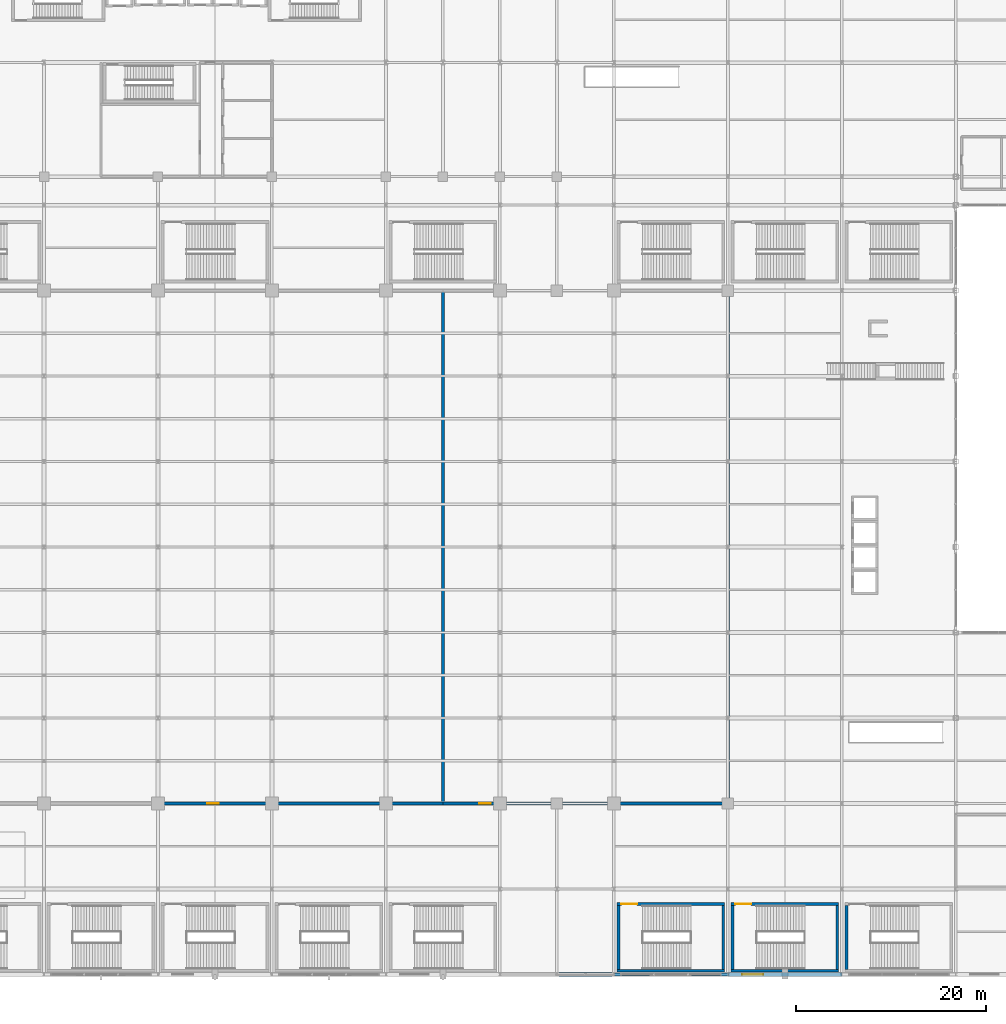
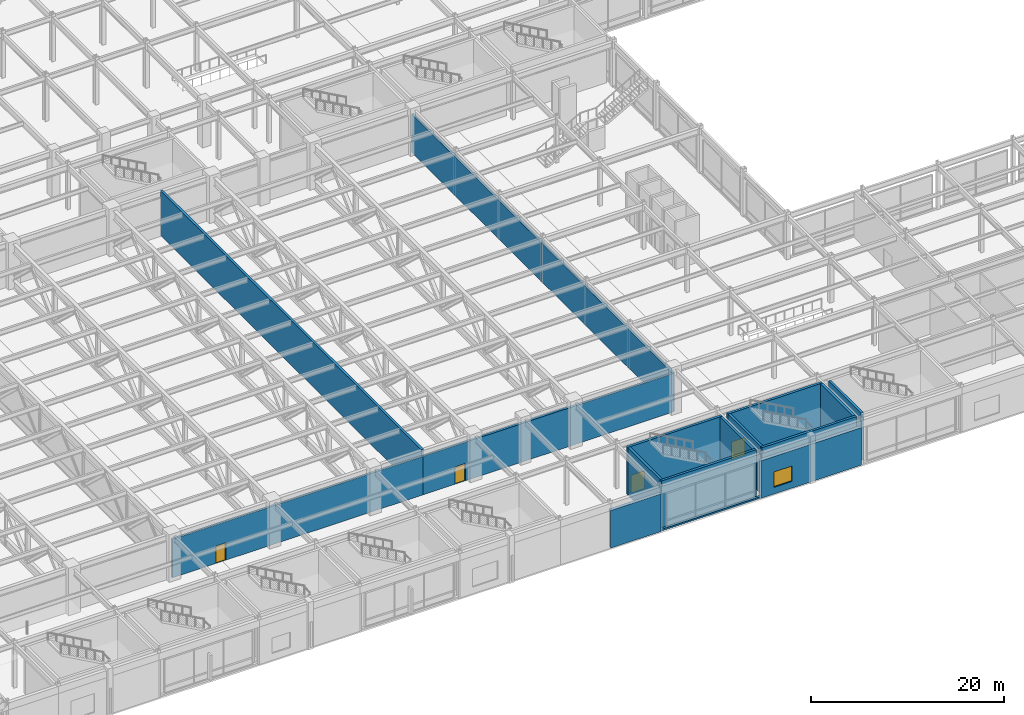
# One storey, part 90 of 108: 16 walls, 4 doors, 1 window, 5 openings.
"""IFC4 building model written with IfcOpenShell, lengths in metres."""

from ifc_helpers import new_model, si_unit, direction, frame, frame_2d, origin, place, context, subcontext, project, spatial, rectangle, extrude, material, layer, layer_set, type_object, element, fill, save


model = new_model("IFC4")

# Units and contexts
model_context = context("Model", 3, precision=1e-05, world=origin(), true_north=direction((0.0, 1.0)))
body_context = subcontext(model_context, "Body", "Model", "MODEL_VIEW")
ifc_project = project(units=[si_unit("LENGTHUNIT", "METRE"), si_unit("AREAUNIT", "SQUARE_METRE"), si_unit("VOLUMEUNIT", "CUBIC_METRE"), si_unit("PLANEANGLEUNIT", "RADIAN"), si_unit("MASSUNIT", "GRAM", prefix="KILO")], contexts=[model_context])

# Site, building, storey
site_placement = place(None, origin())
site = spatial("IfcSite", under=ifc_project, at=site_placement, CompositionType="ELEMENT")
building_placement = place(site_placement, origin())
building = spatial("IfcBuilding", under=site, at=building_placement, Name="Kaldorvane Square Convention Centre", CompositionType="ELEMENT")
storey_placement = place(building_placement, frame((0.0, 0.0, 12.0)))
storey = spatial("IfcBuildingStorey", under=building, at=storey_placement, Name="L02", CompositionType="ELEMENT", Elevation=12.0)

# Wall, opening, door
ifc_material_1 = material(Name="Reinforced Concrete Masonry Acoustic Partition", Category="masonry")
ifc_layer_1 = layer(ifc_material_1, 0.279998779296875)
ifc_layer_set_1 = layer_set([ifc_layer_1], Name="Reinforced Concrete Masonry Acoustic Partition")
wall_type_1 = type_object("IfcWallType", Name="WL-ACO-280", PredefinedType="PARTITIONING", material=ifc_layer_set_1)
wall_1_placement = place(storey_placement, frame((54.0, 18.0, 0.0), z_axis=(0.0, 0.0, 1.0), x_axis=(1.0, 0.0, 0.0)))
wall_1 = element("IfcWall", 1, at=wall_1_placement, inside=storey, type_object=wall_type_1, Name="Central Transfer Truss Interstitial Mechanical Plenum S Wall", PredefinedType="PARTITIONING", context=body_context, shape_type="SweptSolid", body=[
    extrude(rectangle(XDim=30.0, YDim=0.279998779296875, at=frame_2d((15.0, 0.0))), origin(), (0.0, 0.0, 1.0), 4.8719940185546875),
])
opening_1_placement = place(wall_1_placement, frame((5.1999969482421875, 0.0, 0.0)))
opening_1 = element("IfcOpeningElement", 2, at=opening_1_placement, cuts=wall_1, Name="Opening ID-14", PredefinedType="OPENING", context=body_context, shape_type="SweptSolid", body=[
    extrude(rectangle(XDim=1.1999969482421875, YDim=2.1999969482421875, at=frame_2d((0.600006103515625, 1.100006103515625))), frame((0.0, 0.154998779296875, 0.0), z_axis=(0.0, -1.0, 0.0), x_axis=(1.0, 0.0, 0.0)), (0.0, 0.0, 1.0), 0.30999755859375),
])
ifc_material_2 = material(Name="Insulated Hollow Metal Steel", Category="steel")
door_type_1 = type_object("IfcDoorType", Name="DR-PLANT-1200X2200", OperationType="SINGLE_SWING_LEFT", PredefinedType="DOOR", material=ifc_material_2)
door_1_placement = place(opening_1_placement, origin())
door_1 = element("IfcDoor", 3, at=door_1_placement, inside=storey, type_object=door_type_1, Name="Central Transfer Truss Interstitial Mechanical Plenum Door 1", OperationType="SINGLE_SWING_LEFT", OverallHeight=2.1999969482421875, OverallWidth=1.1999969482421875, PredefinedType="DOOR", context=body_context, shape_type="SweptSolid", body=[
    extrude(rectangle(XDim=1.1999969482421875, YDim=2.1999969482421875, at=frame_2d((0.600006103515625, 1.100006103515625))), frame((0.0, 0.024993896484375, 0.0), z_axis=(0.0, -1.0, 0.0), x_axis=(1.0, 0.0, 0.0)), (0.0, 0.0, 1.0), 0.0500030517578125),
])
fill(opening_1, door_1)

# Wall
wall_2_placement = place(storey_placement, frame((84.0, 18.0, 0.0), z_axis=(0.0, 0.0, 1.0), x_axis=(0.0, 1.0, 0.0)))
element("IfcWall", 4, at=wall_2_placement, inside=storey, type_object=wall_type_1, Name="Central Transfer Truss Interstitial Mechanical Plenum E Wall", PredefinedType="PARTITIONING", context=body_context, shape_type="SweptSolid", body=[
    extrude(rectangle(XDim=54.0, YDim=0.279998779296875, at=frame_2d((27.0, 0.0))), origin(), (0.0, 0.0, 1.0), 5.649993896484375),
])

# Wall, opening, door
wall_3_placement = place(storey_placement, frame((84.0, 18.0, 0.0), z_axis=(0.0, 0.0, 1.0), x_axis=(1.0, 0.0, 0.0)))
wall_3 = element("IfcWall", 5, at=wall_3_placement, inside=storey, type_object=wall_type_1, Name="East Transfer Truss Interstitial Mechanical Plenum S Wall", PredefinedType="PARTITIONING", context=body_context, shape_type="SweptSolid", body=[
    extrude(rectangle(XDim=30.0, YDim=0.279998779296875, at=frame_2d((15.0, 0.0))), origin(), (0.0, 0.0, 1.0), 4.8719940185546875),
])
opening_2_placement = place(wall_3_placement, frame((3.8300018310546875, 0.0, 0.0)))
opening_2 = element("IfcOpeningElement", 6, at=opening_2_placement, cuts=wall_3, Name="Opening ID-14", PredefinedType="OPENING", context=body_context, shape_type="SweptSolid", body=[
    extrude(rectangle(XDim=1.1999969482421875, YDim=2.1999969482421875, at=frame_2d((0.600006103515625, 1.100006103515625))), frame((0.0, 0.154998779296875, 0.0), z_axis=(0.0, -1.0, 0.0), x_axis=(1.0, 0.0, 0.0)), (0.0, 0.0, 1.0), 0.30999755859375),
])
door_2_placement = place(opening_2_placement, origin())
door_2 = element("IfcDoor", 7, at=door_2_placement, inside=storey, type_object=door_type_1, Name="East Transfer Truss Interstitial Mechanical Plenum Door 1", OperationType="SINGLE_SWING_LEFT", OverallHeight=2.1999969482421875, OverallWidth=1.1999969482421875, PredefinedType="DOOR", context=body_context, shape_type="SweptSolid", body=[
    extrude(rectangle(XDim=1.1999969482421875, YDim=2.1999969482421875, at=frame_2d((0.600006103515625, 1.100006103515625))), frame((0.0, 0.024993896484375, 0.0), z_axis=(0.0, -1.0, 0.0), x_axis=(1.0, 0.0, 0.0)), (0.0, 0.0, 1.0), 0.0500030517578125),
])
fill(opening_2, door_2)

# Walls
wall_4_placement = place(storey_placement, frame((114.0, 18.0, 0.0), z_axis=(0.0, 0.0, 1.0), x_axis=(0.0, 1.0, 0.0)))
element("IfcWall", 8, at=wall_4_placement, inside=storey, type_object=wall_type_1, Name="East Transfer Truss Interstitial Mechanical Plenum E Wall", PredefinedType="PARTITIONING", context=body_context, shape_type="SweptSolid", body=[
    extrude(rectangle(XDim=54.0, YDim=0.279998779296875, at=frame_2d((27.0, 0.0))), origin(), (0.0, 0.0, 1.0), 4.88299560546875),
])
ifc_material_3 = material(Name="Concrete f'c = 42 MPa (Normalweight)", Category="concrete")
ifc_layer_2 = layer(ifc_material_3, 0.3800048828125)
ifc_layer_set_2 = layer_set([ifc_layer_2], Name="Concrete f'c = 42 MPa (Normalweight)")
wall_type_2 = type_object("IfcWallType", Name="WL-EXT-380", PredefinedType="STANDARD", material=ifc_layer_set_2)
wall_5_placement = place(storey_placement, frame((96.0, 0.0, 0.0), z_axis=(0.0, 0.0, 1.0), x_axis=(1.0, 0.0, 0.0)))
element("IfcWall", 9, at=wall_5_placement, inside=storey, type_object=wall_type_2, Name="South Square Brutalist Facade Wall (L02)", PredefinedType="STANDARD", context=body_context, shape_type="SweptSolid", body=[
    extrude(rectangle(XDim=6.0, YDim=0.3800048828125, at=frame_2d((3.0, 0.0))), origin(), (0.0, 0.0, 1.0), 4.746002197265625),
])

# Wall, opening, window
wall_6_placement = place(storey_placement, frame((114.0, 0.0, 0.0), z_axis=(0.0, 0.0, 1.0), x_axis=(1.0, 0.0, 0.0)))
wall_6 = element("IfcWall", 10, at=wall_6_placement, inside=storey, type_object=wall_type_2, Name="South Square Brutalist Facade Wall (L02)", PredefinedType="STANDARD", context=body_context, shape_type="SweptSolid", body=[
    extrude(rectangle(XDim=12.0, YDim=0.3800048828125, at=frame_2d((6.0, 0.0))), origin(), (0.0, 0.0, 1.0), 4.746002197265625),
])
opening_3_placement = place(wall_6_placement, frame((1.5, 0.0, 0.850006103515625)))
opening_3 = element("IfcOpeningElement", 11, at=opening_3_placement, cuts=wall_6, Name="Opening W-20", PredefinedType="OPENING", context=body_context, shape_type="SweptSolid", body=[
    extrude(rectangle(XDim=2.1999969482421875, YDim=1.9499969482421875, at=frame_2d((1.100006103515625, 0.975006103515625))), frame((0.0, 0.2050018310546875, 0.0), z_axis=(0.0, -1.0, 0.0), x_axis=(1.0, 0.0, 0.0)), (0.0, 0.0, 1.0), 0.410003662109375),
])
ifc_material_4 = material(Name="Anodized Aluminum and Low-E Insulated Glazing", Category="aluminium")
window_type = type_object("IfcWindowType", Name="WN-POD-2200X1950", PartitioningType="DOUBLE_PANEL_VERTICAL", PredefinedType="WINDOW", material=ifc_material_4)
window_placement = place(opening_3_placement, origin())
window = element("IfcWindow", 12, at=window_placement, inside=storey, type_object=window_type, Name="South Facade Window (L02)", OverallHeight=1.9499969482421875, OverallWidth=2.1999969482421875, PartitioningType="DOUBLE_PANEL_VERTICAL", PredefinedType="WINDOW", context=body_context, shape_type="SweptSolid", body=[
    extrude(rectangle(XDim=2.1999969482421875, YDim=1.9499969482421875, at=frame_2d((1.100006103515625, 0.975006103515625))), frame((0.0, 0.029998779296875, 0.0), z_axis=(0.0, -1.0, 0.0), x_axis=(1.0, 0.0, 0.0)), (0.0, 0.0, 1.0), 0.05999755859375),
])
fill(opening_3, window)

# Walls
ifc_material_5 = material(Name="Concrete f'c = 35 MPa (Normalweight)", Category="concrete")
ifc_layer_3 = layer(ifc_material_5, 0.279998779296875)
ifc_layer_set_3 = layer_set([ifc_layer_3], Name="Concrete f'c = 35 MPa (Normalweight)")
wall_type_3 = type_object("IfcWallType", Name="WL-PAR-280", PredefinedType="PARAPET", material=ifc_layer_set_3)
wall_7_placement = place(storey_placement, frame((102.0, 0.0, 0.0), z_axis=(0.0, 0.0, 1.0), x_axis=(1.0, 0.0, 0.0)))
element("IfcWall", 13, at=wall_7_placement, inside=storey, type_object=wall_type_3, Name="Curtain-Wall Sill Kerb (L02)", PredefinedType="PARAPET", context=body_context, shape_type="SweptSolid", body=[
    extrude(rectangle(XDim=12.0, YDim=0.279998779296875, at=frame_2d((6.0, 0.0))), origin(), (0.0, 0.0, 1.0), 0.1999969482421875),
])
ifc_material_6 = material(Name="Concrete f'c = 55 MPa (Normalweight)", Category="concrete")
ifc_layer_4 = layer(ifc_material_6, 0.3000030517578125)
ifc_layer_set_4 = layer_set([ifc_layer_4], Name="Concrete f'c = 55 MPa (Normalweight)")
wall_type_4 = type_object("IfcWallType", Name="WL-SHAFT-300", PredefinedType="SHEAR", material=ifc_layer_set_4)
wall_8_placement = place(storey_placement, frame((113.66000366210938, 0.399993896484375, 0.0), z_axis=(0.0, 0.0, 1.0), x_axis=(-1.0, 0.0, 0.0)))
element("IfcWall", 14, at=wall_8_placement, inside=storey, type_object=wall_type_4, Name="Core Enclosure Wall stair:ST-C8-S (L02)", PredefinedType="SHEAR", context=body_context, shape_type="SweptSolid", body=[
    extrude(rectangle(XDim=11.32000732421875, YDim=0.3000030517578125, at=frame_2d((5.660003662109375, 0.0))), origin(), (0.0, 0.0, 1.0), 6.0),
])

# Wall, opening, door
wall_9_placement = place(storey_placement, frame((113.66000366210938, 7.410003662109375, 0.0), z_axis=(0.0, 0.0, 1.0), x_axis=(-1.0, 0.0, 0.0)))
wall_9 = element("IfcWall", 15, at=wall_9_placement, inside=storey, type_object=wall_type_4, Name="Core Enclosure Wall stair:ST-C8-N (L02)", PredefinedType="SHEAR", context=body_context, shape_type="SweptSolid", body=[
    extrude(rectangle(XDim=11.32000732421875, YDim=0.3000030517578125, at=frame_2d((5.660003662109375, 0.0))), origin(), (0.0, 0.0, 1.0), 6.0),
])
opening_4_placement = place(wall_9_placement, frame((9.220001220703125, 0.0, 0.0)))
opening_4 = element("IfcOpeningElement", 16, at=opening_4_placement, cuts=wall_9, Name="Opening FD90-S2", PredefinedType="OPENING", context=body_context, shape_type="SweptSolid", body=[
    extrude(rectangle(XDim=1.649993896484375, YDim=2.25, at=frame_2d((0.8249969482421875, 1.125))), frame((0.0, 0.165008544921875, 0.0), z_axis=(0.0, -1.0, 0.0), x_axis=(1.0, 0.0, 0.0)), (0.0, 0.0, 1.0), 0.3300018310546875),
])
ifc_material_7 = material(Name="Fire-Rated Hollow Metal Steel", Category="steel")
door_type_2 = type_object("IfcDoorType", Name="DR-STAIR-1650", OperationType="DOUBLE_DOOR_SINGLE_SWING", PredefinedType="DOOR", material=ifc_material_7)
door_3_placement = place(opening_4_placement, origin())
door_3 = element("IfcDoor", 17, at=door_3_placement, inside=storey, type_object=door_type_2, Name="Convention Exit Stair C8 Fire Door (L02)", OperationType="DOUBLE_DOOR_SINGLE_SWING", OverallHeight=2.25, OverallWidth=1.649993896484375, PredefinedType="DOOR", context=body_context, shape_type="SweptSolid", body=[
    extrude(rectangle(XDim=1.649993896484375, YDim=2.25, at=frame_2d((0.8249969482421875, 1.125))), frame((0.0, 0.024993896484375, 0.0), z_axis=(0.0, -1.0, 0.0), x_axis=(1.0, 0.0, 0.0)), (0.0, 0.0, 1.0), 0.0500030517578125),
])
fill(opening_4, door_3)

# Walls
for number, where, z_axis, x_axis, name in (
    (18, (102.49000549316406, 7.2599945068359375, 0.0), (0.0, 0.0, 1.0), (0.0, -1.0, 0.0), "Core Enclosure Wall stair:ST-C8-W (L02)"),
    (19, (113.50999450683594, 0.5500030517578125, 0.0), (0.0, 0.0, 1.0), (0.0, 1.0, 0.0), "Core Enclosure Wall stair:ST-C8-E (L02)"),
):
    element("IfcWall", number, at=place(storey_placement, frame(where, z_axis=z_axis, x_axis=x_axis)), inside=storey, type_object=wall_type_4, Name=name, PredefinedType="SHEAR", context=body_context, shape_type="SweptSolid", body=[
        extrude(rectangle(XDim=6.709991455078125, YDim=0.3000030517578125, at=frame_2d((3.3549957275390625, 0.0))), origin(), (0.0, 0.0, 1.0), 6.0),
    ])
wall_10_placement = place(storey_placement, frame((125.66000366210938, 0.399993896484375, 0.0), z_axis=(0.0, 0.0, 1.0), x_axis=(-1.0, 0.0, 0.0)))
element("IfcWall", 20, at=wall_10_placement, inside=storey, type_object=wall_type_4, Name="Core Enclosure Wall stair:ST-C9-S (L02)", PredefinedType="SHEAR", context=body_context, shape_type="SweptSolid", body=[
    extrude(rectangle(XDim=11.32000732421875, YDim=0.3000030517578125, at=frame_2d((5.660003662109375, 0.0))), origin(), (0.0, 0.0, 1.0), 6.0),
])

# Wall, opening, door
wall_11_placement = place(storey_placement, frame((125.66000366210938, 7.410003662109375, 0.0), z_axis=(0.0, 0.0, 1.0), x_axis=(-1.0, 0.0, 0.0)))
wall_11 = element("IfcWall", 21, at=wall_11_placement, inside=storey, type_object=wall_type_4, Name="Core Enclosure Wall stair:ST-C9-N (L02)", PredefinedType="SHEAR", context=body_context, shape_type="SweptSolid", body=[
    extrude(rectangle(XDim=11.32000732421875, YDim=0.3000030517578125, at=frame_2d((5.660003662109375, 0.0))), origin(), (0.0, 0.0, 1.0), 6.0),
])
opening_5_placement = place(wall_11_placement, frame((9.220001220703125, 0.0, 0.0)))
opening_5 = element("IfcOpeningElement", 22, at=opening_5_placement, cuts=wall_11, Name="Opening FD90-S2", PredefinedType="OPENING", context=body_context, shape_type="SweptSolid", body=[
    extrude(rectangle(XDim=1.649993896484375, YDim=2.25, at=frame_2d((0.8249969482421875, 1.125))), frame((0.0, 0.165008544921875, 0.0), z_axis=(0.0, -1.0, 0.0), x_axis=(1.0, 0.0, 0.0)), (0.0, 0.0, 1.0), 0.3300018310546875),
])
door_4_placement = place(opening_5_placement, origin())
door_4 = element("IfcDoor", 23, at=door_4_placement, inside=storey, type_object=door_type_2, Name="Convention Exit Stair C9 Fire Door (L02)", OperationType="DOUBLE_DOOR_SINGLE_SWING", OverallHeight=2.25, OverallWidth=1.649993896484375, PredefinedType="DOOR", context=body_context, shape_type="SweptSolid", body=[
    extrude(rectangle(XDim=1.649993896484375, YDim=2.25, at=frame_2d((0.8249969482421875, 1.125))), frame((0.0, 0.024993896484375, 0.0), z_axis=(0.0, -1.0, 0.0), x_axis=(1.0, 0.0, 0.0)), (0.0, 0.0, 1.0), 0.0500030517578125),
])
fill(opening_5, door_4)

# Walls
for number, where, z_axis, x_axis, name in (
    (24, (114.49000549316406, 7.2599945068359375, 0.0), (0.0, 0.0, 1.0), (0.0, -1.0, 0.0), "Core Enclosure Wall stair:ST-C9-W (L02)"),
    (25, (125.50999450683594, 0.5500030517578125, 0.0), (0.0, 0.0, 1.0), (0.0, 1.0, 0.0), "Core Enclosure Wall stair:ST-C9-E (L02)"),
    (26, (126.49000549316406, 7.2599945068359375, 0.0), (0.0, 0.0, 1.0), (0.0, -1.0, 0.0), "Core Enclosure Wall stair:ST-C10-W (L02)"),
):
    element("IfcWall", number, at=place(storey_placement, frame(where, z_axis=z_axis, x_axis=x_axis)), inside=storey, type_object=wall_type_4, Name=name, PredefinedType="SHEAR", context=body_context, shape_type="SweptSolid", body=[
        extrude(rectangle(XDim=6.709991455078125, YDim=0.3000030517578125, at=frame_2d((3.3549957275390625, 0.0))), origin(), (0.0, 0.0, 1.0), 6.0),
    ])

save(model, "model.ifc")
